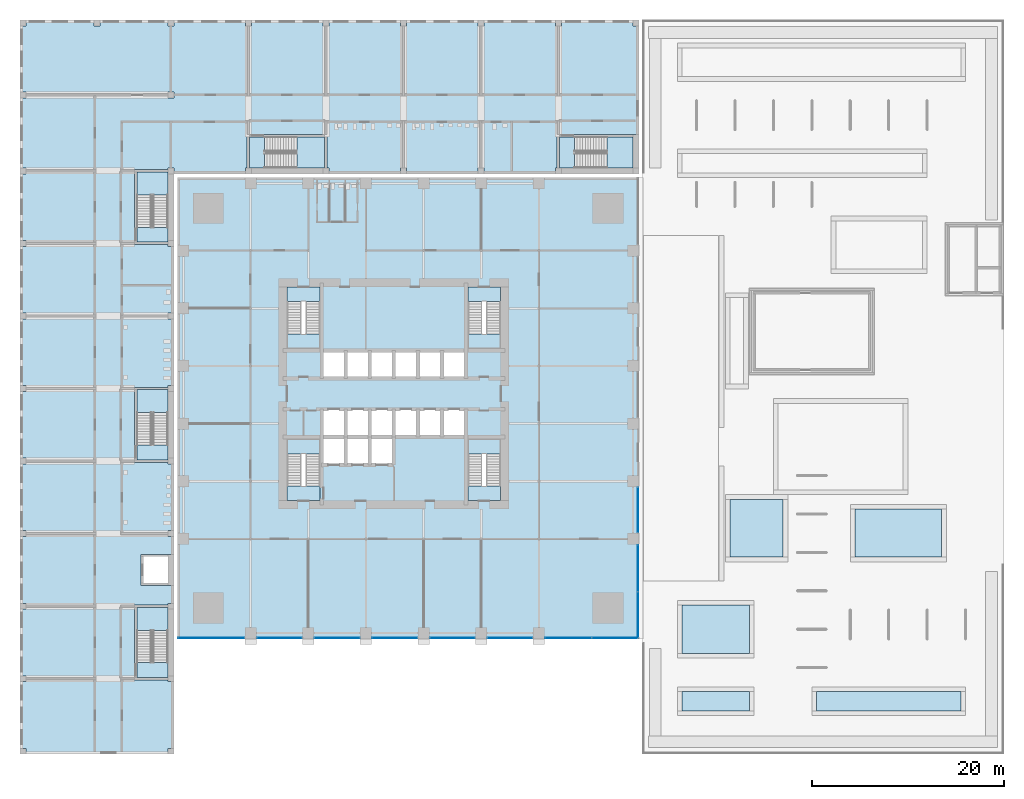
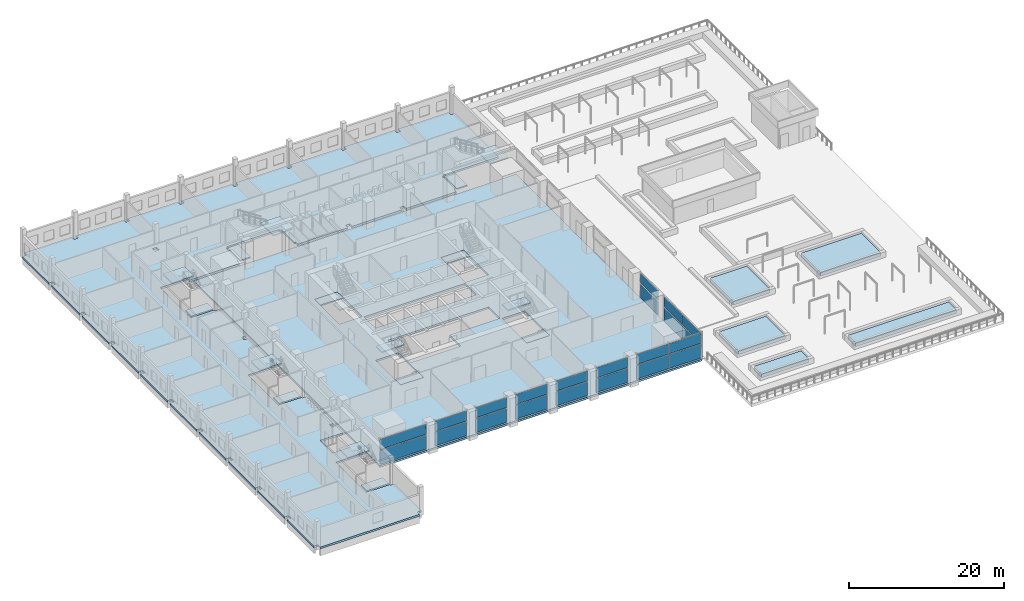
# One storey, part 16 of 34: 25 slabs, 22 plates, 18 elements without a shape of their own.
"""IFC4 building model written with IfcOpenShell, lengths in metres."""

from ifc_helpers import new_model, si_unit, direction, frame, origin, origin_2d, place, context, subcontext, project, spatial, polyline, rectangle, outline, extrude, material, layer, layer_set, type_object, element, aggregate, save


model = new_model("IFC4")

# Units and contexts
model_context = context("Model", 3, precision=1e-05, world=origin(), true_north=direction((0.0, 1.0)))
body_context = subcontext(model_context, "Body", "Model", "MODEL_VIEW")
ifc_project = project(units=[si_unit("LENGTHUNIT", "METRE"), si_unit("AREAUNIT", "SQUARE_METRE"), si_unit("VOLUMEUNIT", "CUBIC_METRE"), si_unit("PLANEANGLEUNIT", "RADIAN"), si_unit("MASSUNIT", "GRAM", prefix="KILO")], contexts=[model_context])

# Site, building, storey
site_placement = place(None, origin())
site = spatial("IfcSite", under=ifc_project, at=site_placement, CompositionType="ELEMENT")
building_placement = place(site_placement, origin())
building = spatial("IfcBuilding", under=site, at=building_placement, Name="Amberfall Residences", CompositionType="ELEMENT")
storey_placement = place(building_placement, frame((0.0, 0.0, 5.5)))
storey = spatial("IfcBuildingStorey", under=building, at=storey_placement, Name="L01", CompositionType="ELEMENT", Elevation=5.5)

# Curtain wall, plates
ifc_material_1 = material(Name="Bronze anodised aluminium and glass", Category="aluminium")
curtain_wall_type = type_object("IfcCurtainWallType", Name="Curtain wall CW4 podium storefront", PredefinedType="USERDEFINED", material=ifc_material_1)
curtain_wall_1_placement = place(storey_placement, origin())
curtain_wall_1 = element("IfcCurtainWall", 1, at=curtain_wall_1_placement, inside=storey, type_object=curtain_wall_type, Name="Storefront L01 S1", ObjectType="UNITISED CURTAIN WALL", PredefinedType="USERDEFINED")
ifc_material_2 = material(Name="Clear toughened glazing", Category="glass")
ifc_layer_1 = layer(ifc_material_2, 0.028076171875)
ifc_layer_set_1 = layer_set([ifc_layer_1], Name="CW4 panel 28 glazing")
plate_type = type_object("IfcPlateType", Name="CW4 panel 28 glazing", PredefinedType="CURTAIN_PANEL", material=ifc_layer_set_1)
plate_1_placement = place(storey_placement, frame((55.5, 20.10009765625, 0.14990234375), z_axis=(0.0, 0.0, 1.0), x_axis=(1.0, 0.0, 0.0)))
plate_1 = element("IfcPlate", 2, at=plate_1_placement, type_object=plate_type, Name="CW4 panel 1.1", PredefinedType="CURTAIN_PANEL", context=body_context, shape_type="SweptSolid", body=[
    extrude(rectangle(XDim=6.860107421875, YDim=0.028076171875, at=origin_2d()), origin(), (0.0, 0.0, 1.0), 2.175048828125),
])
plate_2_placement = place(storey_placement, frame((55.5, 20.10009765625, 2.47509765625), z_axis=(0.0, 0.0, 1.0), x_axis=(1.0, 0.0, 0.0)))
plate_2 = element("IfcPlate", 3, at=plate_2_placement, type_object=plate_type, Name="CW4 panel 1.2", PredefinedType="CURTAIN_PANEL", context=body_context, shape_type="SweptSolid", body=[
    extrude(rectangle(XDim=6.860107421875, YDim=0.028076171875, at=origin_2d()), origin(), (0.0, 0.0, 1.0), 1.574951171875),
])
aggregate(curtain_wall_1, [plate_1, plate_2])

curtain_wall_2_placement = place(storey_placement, origin())
curtain_wall_2 = element("IfcCurtainWall", 4, at=curtain_wall_2_placement, inside=storey, type_object=curtain_wall_type, Name="Storefront L01 S2", ObjectType="UNITISED CURTAIN WALL", PredefinedType="USERDEFINED")
plate_3_placement = place(storey_placement, frame((62.60009765625, 20.10009765625, 0.14990234375), z_axis=(0.0, 0.0, 1.0), x_axis=(1.0, 0.0, 0.0)))
plate_3 = element("IfcPlate", 5, at=plate_3_placement, type_object=plate_type, Name="CW4 panel 1.1", PredefinedType="CURTAIN_PANEL", context=body_context, shape_type="SweptSolid", body=[
    extrude(rectangle(XDim=4.659912109375, YDim=0.028076171875, at=origin_2d()), origin(), (0.0, 0.0, 1.0), 2.175048828125),
])
plate_4_placement = place(storey_placement, frame((62.60009765625, 20.10009765625, 2.47509765625), z_axis=(0.0, 0.0, 1.0), x_axis=(1.0, 0.0, 0.0)))
plate_4 = element("IfcPlate", 6, at=plate_4_placement, type_object=plate_type, Name="CW4 panel 1.2", PredefinedType="CURTAIN_PANEL", context=body_context, shape_type="SweptSolid", body=[
    extrude(rectangle(XDim=4.659912109375, YDim=0.028076171875, at=origin_2d()), origin(), (0.0, 0.0, 1.0), 1.574951171875),
])
aggregate(curtain_wall_2, [plate_3, plate_4])

curtain_wall_3_placement = place(storey_placement, origin())
curtain_wall_3 = element("IfcCurtainWall", 7, at=curtain_wall_3_placement, inside=storey, type_object=curtain_wall_type, Name="Storefront L01 S3", ObjectType="UNITISED CURTAIN WALL", PredefinedType="USERDEFINED")
plate_5_placement = place(storey_placement, frame((68.60009765625, 20.10009765625, 0.14990234375), z_axis=(0.0, 0.0, 1.0), x_axis=(1.0, 0.0, 0.0)))
plate_5 = element("IfcPlate", 8, at=plate_5_placement, type_object=plate_type, Name="CW4 panel 1.1", PredefinedType="CURTAIN_PANEL", context=body_context, shape_type="SweptSolid", body=[
    extrude(rectangle(XDim=4.659912109375, YDim=0.028076171875, at=origin_2d()), origin(), (0.0, 0.0, 1.0), 2.175048828125),
])
plate_6_placement = place(storey_placement, frame((68.60009765625, 20.10009765625, 2.47509765625), z_axis=(0.0, 0.0, 1.0), x_axis=(1.0, 0.0, 0.0)))
plate_6 = element("IfcPlate", 9, at=plate_6_placement, type_object=plate_type, Name="CW4 panel 1.2", PredefinedType="CURTAIN_PANEL", context=body_context, shape_type="SweptSolid", body=[
    extrude(rectangle(XDim=4.659912109375, YDim=0.028076171875, at=origin_2d()), origin(), (0.0, 0.0, 1.0), 1.574951171875),
])
aggregate(curtain_wall_3, [plate_5, plate_6])

curtain_wall_4_placement = place(storey_placement, origin())
curtain_wall_4 = element("IfcCurtainWall", 10, at=curtain_wall_4_placement, inside=storey, type_object=curtain_wall_type, Name="Storefront L01 S4", ObjectType="UNITISED CURTAIN WALL", PredefinedType="USERDEFINED")
plate_7_placement = place(storey_placement, frame((74.60009765625, 20.10009765625, 0.14990234375), z_axis=(0.0, 0.0, 1.0), x_axis=(1.0, 0.0, 0.0)))
plate_7 = element("IfcPlate", 11, at=plate_7_placement, type_object=plate_type, Name="CW4 panel 1.1", PredefinedType="CURTAIN_PANEL", context=body_context, shape_type="SweptSolid", body=[
    extrude(rectangle(XDim=4.659912109375, YDim=0.028076171875, at=origin_2d()), origin(), (0.0, 0.0, 1.0), 2.175048828125),
])
plate_8_placement = place(storey_placement, frame((74.60009765625, 20.10009765625, 2.47509765625), z_axis=(0.0, 0.0, 1.0), x_axis=(1.0, 0.0, 0.0)))
plate_8 = element("IfcPlate", 12, at=plate_8_placement, type_object=plate_type, Name="CW4 panel 1.2", PredefinedType="CURTAIN_PANEL", context=body_context, shape_type="SweptSolid", body=[
    extrude(rectangle(XDim=4.659912109375, YDim=0.028076171875, at=origin_2d()), origin(), (0.0, 0.0, 1.0), 1.574951171875),
])
aggregate(curtain_wall_4, [plate_7, plate_8])

curtain_wall_5_placement = place(storey_placement, origin())
curtain_wall_5 = element("IfcCurtainWall", 13, at=curtain_wall_5_placement, inside=storey, type_object=curtain_wall_type, Name="Storefront L01 S5", ObjectType="UNITISED CURTAIN WALL", PredefinedType="USERDEFINED")
plate_9_placement = place(storey_placement, frame((80.60009765625, 20.10009765625, 0.14990234375), z_axis=(0.0, 0.0, 1.0), x_axis=(1.0, 0.0, 0.0)))
plate_9 = element("IfcPlate", 14, at=plate_9_placement, type_object=plate_type, Name="CW4 panel 1.1", PredefinedType="CURTAIN_PANEL", context=body_context, shape_type="SweptSolid", body=[
    extrude(rectangle(XDim=4.659912109375, YDim=0.028076171875, at=origin_2d()), origin(), (0.0, 0.0, 1.0), 2.175048828125),
])
plate_10_placement = place(storey_placement, frame((80.60009765625, 20.10009765625, 2.47509765625), z_axis=(0.0, 0.0, 1.0), x_axis=(1.0, 0.0, 0.0)))
plate_10 = element("IfcPlate", 15, at=plate_10_placement, type_object=plate_type, Name="CW4 panel 1.2", PredefinedType="CURTAIN_PANEL", context=body_context, shape_type="SweptSolid", body=[
    extrude(rectangle(XDim=4.659912109375, YDim=0.028076171875, at=origin_2d()), origin(), (0.0, 0.0, 1.0), 1.574951171875),
])
aggregate(curtain_wall_5, [plate_9, plate_10])

curtain_wall_6_placement = place(storey_placement, origin())
curtain_wall_6 = element("IfcCurtainWall", 16, at=curtain_wall_6_placement, inside=storey, type_object=curtain_wall_type, Name="Storefront L01 S6", ObjectType="UNITISED CURTAIN WALL", PredefinedType="USERDEFINED")
plate_11_placement = place(storey_placement, frame((86.60009765625, 20.10009765625, 0.14990234375), z_axis=(0.0, 0.0, 1.0), x_axis=(1.0, 0.0, 0.0)))
plate_11 = element("IfcPlate", 17, at=plate_11_placement, type_object=plate_type, Name="CW4 panel 1.1", PredefinedType="CURTAIN_PANEL", context=body_context, shape_type="SweptSolid", body=[
    extrude(rectangle(XDim=4.659912109375, YDim=0.028076171875, at=origin_2d()), origin(), (0.0, 0.0, 1.0), 2.175048828125),
])
plate_12_placement = place(storey_placement, frame((86.60009765625, 20.10009765625, 2.47509765625), z_axis=(0.0, 0.0, 1.0), x_axis=(1.0, 0.0, 0.0)))
plate_12 = element("IfcPlate", 18, at=plate_12_placement, type_object=plate_type, Name="CW4 panel 1.2", PredefinedType="CURTAIN_PANEL", context=body_context, shape_type="SweptSolid", body=[
    extrude(rectangle(XDim=4.659912109375, YDim=0.028076171875, at=origin_2d()), origin(), (0.0, 0.0, 1.0), 1.574951171875),
])
aggregate(curtain_wall_6, [plate_11, plate_12])

curtain_wall_7_placement = place(storey_placement, origin())
curtain_wall_7 = element("IfcCurtainWall", 19, at=curtain_wall_7_placement, inside=storey, type_object=curtain_wall_type, Name="Storefront L01 S7", ObjectType="UNITISED CURTAIN WALL", PredefinedType="USERDEFINED")
plate_13_placement = place(storey_placement, frame((92.66748046875, 20.10009765625, 0.14990234375), z_axis=(0.0, 0.0, 1.0), x_axis=(1.0, 0.0, 0.0)))
plate_13 = element("IfcPlate", 20, at=plate_13_placement, type_object=plate_type, Name="CW4 panel 1.1", PredefinedType="CURTAIN_PANEL", context=body_context, shape_type="SweptSolid", body=[
    extrude(rectangle(XDim=4.794921875, YDim=0.028076171875, at=origin_2d()), origin(), (0.0, 0.0, 1.0), 2.175048828125),
])
plate_14_placement = place(storey_placement, frame((92.66748046875, 20.10009765625, 2.47509765625), z_axis=(0.0, 0.0, 1.0), x_axis=(1.0, 0.0, 0.0)))
plate_14 = element("IfcPlate", 21, at=plate_14_placement, type_object=plate_type, Name="CW4 panel 1.2", PredefinedType="CURTAIN_PANEL", context=body_context, shape_type="SweptSolid", body=[
    extrude(rectangle(XDim=4.794921875, YDim=0.028076171875, at=origin_2d()), origin(), (0.0, 0.0, 1.0), 1.574951171875),
])
plate_15_placement = place(storey_placement, frame((97.532470703125, 20.10009765625, 0.14990234375), z_axis=(0.0, 0.0, 1.0), x_axis=(1.0, 0.0, 0.0)))
plate_15 = element("IfcPlate", 22, at=plate_15_placement, type_object=plate_type, Name="CW4 panel 2.1", PredefinedType="CURTAIN_PANEL", context=body_context, shape_type="SweptSolid", body=[
    extrude(rectangle(XDim=4.794921875, YDim=0.028076171875, at=origin_2d()), origin(), (0.0, 0.0, 1.0), 2.175048828125),
])
plate_16_placement = place(storey_placement, frame((97.532470703125, 20.10009765625, 2.47509765625), z_axis=(0.0, 0.0, 1.0), x_axis=(1.0, 0.0, 0.0)))
plate_16 = element("IfcPlate", 23, at=plate_16_placement, type_object=plate_type, Name="CW4 panel 2.2", PredefinedType="CURTAIN_PANEL", context=body_context, shape_type="SweptSolid", body=[
    extrude(rectangle(XDim=4.794921875, YDim=0.028076171875, at=origin_2d()), origin(), (0.0, 0.0, 1.0), 1.574951171875),
])
aggregate(curtain_wall_7, [plate_13, plate_14, plate_15, plate_16])

curtain_wall_8_placement = place(storey_placement, origin())
curtain_wall_8 = element("IfcCurtainWall", 24, at=curtain_wall_8_placement, inside=storey, type_object=curtain_wall_type, Name="Storefront L01 E1", ObjectType="UNITISED CURTAIN WALL", PredefinedType="USERDEFINED")
plate_17_placement = place(storey_placement, frame((99.89990234375, 22.467529296875, 0.14990234375), z_axis=(0.0, 0.0, 1.0), x_axis=(0.0, 1.0, 0.0)))
plate_17 = element("IfcPlate", 25, at=plate_17_placement, type_object=plate_type, Name="CW4 panel 1.1", PredefinedType="CURTAIN_PANEL", context=body_context, shape_type="SweptSolid", body=[
    extrude(rectangle(XDim=4.794921875, YDim=0.028076171875, at=origin_2d()), origin(), (0.0, 0.0, 1.0), 2.175048828125),
])
plate_18_placement = place(storey_placement, frame((99.89990234375, 22.467529296875, 2.47509765625), z_axis=(0.0, 0.0, 1.0), x_axis=(0.0, 1.0, 0.0)))
plate_18 = element("IfcPlate", 26, at=plate_18_placement, type_object=plate_type, Name="CW4 panel 1.2", PredefinedType="CURTAIN_PANEL", context=body_context, shape_type="SweptSolid", body=[
    extrude(rectangle(XDim=4.794921875, YDim=0.028076171875, at=origin_2d()), origin(), (0.0, 0.0, 1.0), 1.574951171875),
])
plate_19_placement = place(storey_placement, frame((99.89990234375, 27.33251953125, 0.14990234375), z_axis=(0.0, 0.0, 1.0), x_axis=(0.0, 1.0, 0.0)))
plate_19 = element("IfcPlate", 27, at=plate_19_placement, type_object=plate_type, Name="CW4 panel 2.1", PredefinedType="CURTAIN_PANEL", context=body_context, shape_type="SweptSolid", body=[
    extrude(rectangle(XDim=4.794921875, YDim=0.028076171875, at=origin_2d()), origin(), (0.0, 0.0, 1.0), 2.175048828125),
])
plate_20_placement = place(storey_placement, frame((99.89990234375, 27.33251953125, 2.47509765625), z_axis=(0.0, 0.0, 1.0), x_axis=(0.0, 1.0, 0.0)))
plate_20 = element("IfcPlate", 28, at=plate_20_placement, type_object=plate_type, Name="CW4 panel 2.2", PredefinedType="CURTAIN_PANEL", context=body_context, shape_type="SweptSolid", body=[
    extrude(rectangle(XDim=4.794921875, YDim=0.028076171875, at=origin_2d()), origin(), (0.0, 0.0, 1.0), 1.574951171875),
])
aggregate(curtain_wall_8, [plate_17, plate_18, plate_19, plate_20])

curtain_wall_9_placement = place(storey_placement, origin())
curtain_wall_9 = element("IfcCurtainWall", 29, at=curtain_wall_9_placement, inside=storey, type_object=curtain_wall_type, Name="Storefront L01 E2", ObjectType="UNITISED CURTAIN WALL", PredefinedType="USERDEFINED")
plate_21_placement = place(storey_placement, frame((99.89990234375, 33.39990234375, 0.14990234375), z_axis=(0.0, 0.0, 1.0), x_axis=(0.0, 1.0, 0.0)))
plate_21 = element("IfcPlate", 30, at=plate_21_placement, type_object=plate_type, Name="CW4 panel 1.1", PredefinedType="CURTAIN_PANEL", context=body_context, shape_type="SweptSolid", body=[
    extrude(rectangle(XDim=4.659912109375, YDim=0.028076171875, at=origin_2d()), origin(), (0.0, 0.0, 1.0), 2.175048828125),
])
plate_22_placement = place(storey_placement, frame((99.89990234375, 33.39990234375, 2.47509765625), z_axis=(0.0, 0.0, 1.0), x_axis=(0.0, 1.0, 0.0)))
plate_22 = element("IfcPlate", 31, at=plate_22_placement, type_object=plate_type, Name="CW4 panel 1.2", PredefinedType="CURTAIN_PANEL", context=body_context, shape_type="SweptSolid", body=[
    extrude(rectangle(XDim=4.659912109375, YDim=0.028076171875, at=origin_2d()), origin(), (0.0, 0.0, 1.0), 1.574951171875),
])
aggregate(curtain_wall_9, [plate_21, plate_22])

# Slabs
ifc_material_3 = material(Name="Reinforced concrete C35 planter with soil", Category="concrete")
ifc_layer_2 = layer(ifc_material_3, 0.60009765625)
ifc_layer_set_2 = layer_set([ifc_layer_2], Name="Planter bed 600")
slab_type_1 = type_object("IfcSlabType", Name="Planter bed 600", PredefinedType="NOTDEFINED", material=ifc_layer_set_2)
slab_1_placement = place(storey_placement, origin())
element("IfcSlab", 32, at=slab_1_placement, inside=storey, type_object=slab_type_1, Name="Planter 1", PredefinedType="NOTDEFINED", context=body_context, shape_type="SweptSolid", body=[
    extrude(outline(polyline([(104.5, 12.5), (111.5, 12.5), (111.5, 14.5), (104.5, 14.5), (104.5, 12.5)])), origin(), (0.0, 0.0, 1.0), 0.60009765625),
])
slab_2_placement = place(storey_placement, origin())
element("IfcSlab", 33, at=slab_2_placement, inside=storey, type_object=slab_type_1, Name="Planter 2", PredefinedType="NOTDEFINED", context=body_context, shape_type="SweptSolid", body=[
    extrude(outline(polyline([(104.5, 18.5), (111.5, 18.5), (111.5, 23.5), (104.5, 23.5), (104.5, 18.5)])), origin(), (0.0, 0.0, 1.0), 0.60009765625),
])
slab_3_placement = place(storey_placement, origin())
element("IfcSlab", 34, at=slab_3_placement, inside=storey, type_object=slab_type_1, Name="Planter 3", PredefinedType="NOTDEFINED", context=body_context, shape_type="SweptSolid", body=[
    extrude(outline(polyline([(118.5, 12.5), (133.5, 12.5), (133.5, 14.5), (118.5, 14.5), (118.5, 12.5)])), origin(), (0.0, 0.0, 1.0), 0.60009765625),
])
slab_4_placement = place(storey_placement, origin())
element("IfcSlab", 35, at=slab_4_placement, inside=storey, type_object=slab_type_1, Name="Planter 4", PredefinedType="NOTDEFINED", context=body_context, shape_type="SweptSolid", body=[
    extrude(outline(polyline([(109.5, 28.5), (115.0, 28.5), (115.0, 34.5), (109.5, 34.5), (109.5, 28.5)])), origin(), (0.0, 0.0, 1.0), 0.60009765625),
])
slab_5_placement = place(storey_placement, origin())
element("IfcSlab", 36, at=slab_5_placement, inside=storey, type_object=slab_type_1, Name="Planter 5", PredefinedType="NOTDEFINED", context=body_context, shape_type="SweptSolid", body=[
    extrude(outline(polyline([(122.5, 28.5), (131.5, 28.5), (131.5, 33.5), (122.5, 33.5), (122.5, 28.5)])), origin(), (0.0, 0.0, 1.0), 0.60009765625),
])
ifc_material_4 = material(Name="Concrete C60", Category="concrete")
ifc_layer_3 = layer(ifc_material_4, 0.300048828125)
ifc_layer_set_3 = layer_set([ifc_layer_3], Name="Podium floor slab 300 C60")
slab_type_2 = type_object("IfcSlabType", Name="Podium floor slab 300 C60", PredefinedType="FLOOR", material=ifc_layer_set_3)
slab_6_placement = place(storey_placement, frame((0.0, 0.0, -0.300048828125)))
element("IfcSlab", 37, at=slab_6_placement, inside=storey, type_object=slab_type_2, Name="Floor slab S2 L01", PredefinedType="FLOOR", context=body_context, shape_type="SweptSolid", body=[
    extrude(outline(polyline([(52.0, 68.0), (100.0, 68.0), (100.0, 20.0), (52.0, 20.0), (52.0, 68.0)]), holes=[polyline([(85.60009765625, 34.39990234375), (85.60009765625, 40.800048828125), (82.199951171875, 40.800048828125), (82.199951171875, 34.39990234375), (85.60009765625, 34.39990234375)]), polyline([(82.199951171875, 50.199951171875), (85.60009765625, 50.199951171875), (85.60009765625, 56.60009765625), (82.199951171875, 56.60009765625), (82.199951171875, 50.199951171875)]), polyline([(69.5, 50.0), (67.0, 50.0), (67.0, 47.10009765625), (69.5, 47.10009765625), (72.0, 47.10009765625), (74.5, 47.10009765625), (77.0, 47.10009765625), (79.5, 47.10009765625), (82.0, 47.10009765625), (82.0, 50.0), (79.5, 50.0), (77.0, 50.0), (74.5, 50.0), (72.0, 50.0), (69.5, 50.0)]), polyline([(74.5, 41.0), (77.0, 41.0), (79.5, 41.0), (82.0, 41.0), (82.0, 43.89990234375), (79.5, 43.89990234375), (77.0, 43.89990234375), (74.5, 43.89990234375), (72.0, 43.89990234375), (69.5, 43.89990234375), (67.0, 43.89990234375), (67.0, 41.0), (67.0, 38.10009765625), (69.5, 38.10009765625), (72.0, 38.10009765625), (74.5, 38.10009765625), (74.5, 41.0)]), polyline([(66.800048828125, 34.39990234375), (66.800048828125, 40.800048828125), (63.39990234375, 40.800048828125), (63.39990234375, 34.39990234375), (66.800048828125, 34.39990234375)]), polyline([(66.800048828125, 50.199951171875), (66.800048828125, 56.60009765625), (63.39990234375, 56.60009765625), (63.39990234375, 50.199951171875), (66.800048828125, 50.199951171875)])]), origin(), (0.0, 0.0, 1.0), 0.300048828125),
])
ifc_material_5 = material(Name="Concrete C40", Category="concrete")
ifc_layer_4 = layer(ifc_material_5, 0.300048828125)
ifc_layer_set_4 = layer_set([ifc_layer_4], Name="School floor slab 300 C40")
slab_type_3 = type_object("IfcSlabType", Name="School floor slab 300 C40", PredefinedType="FLOOR", material=ifc_layer_set_4)
slab_7_placement = place(storey_placement, frame((0.0, 0.0, -0.300048828125)))
element("IfcSlab", 38, at=slab_7_placement, inside=storey, type_object=slab_type_3, Name="School floor L01", PredefinedType="FLOOR", context=body_context, shape_type="SweptSolid", body=[
    extrude(outline(polyline([(36.199951171875, 8.60009765625), (36.199951171875, 8.0), (51.0, 8.0), (51.0, 8.60009765625), (51.60009765625, 8.60009765625), (51.60009765625, 15.550048828125), (51.0, 15.550048828125), (51.0, 15.72509765625), (47.5, 15.72509765625), (47.5, 15.97509765625), (47.5, 23.27490234375), (47.5, 23.52490234375), (51.0, 23.52490234375), (51.0, 23.699951171875), (51.60009765625, 23.699951171875), (51.60009765625, 25.550048828125), (51.0, 25.550048828125), (48.199951171875, 25.550048828125), (48.199951171875, 25.675048828125), (48.199951171875, 25.800048828125), (48.199951171875, 28.550048828125), (48.199951171875, 28.675048828125), (48.199951171875, 28.800048828125), (51.0, 28.800048828125), (51.60009765625, 28.800048828125), (51.60009765625, 30.64990234375), (51.0, 30.64990234375), (51.0, 31.25), (51.60009765625, 31.25), (51.60009765625, 38.199951171875), (51.0, 38.199951171875), (51.0, 38.375), (47.5, 38.375), (47.5, 38.625), (47.5, 45.925048828125), (47.5, 46.175048828125), (51.0, 46.175048828125), (51.0, 46.35009765625), (51.60009765625, 46.35009765625), (51.60009765625, 53.300048828125), (51.0, 53.300048828125), (51.0, 53.89990234375), (51.60009765625, 53.89990234375), (51.60009765625, 60.85009765625), (51.0, 60.85009765625), (51.0, 61.02490234375), (47.5, 61.02490234375), (47.5, 61.27490234375), (47.5, 68.574951171875), (47.5, 68.824951171875), (51.0, 68.824951171875), (51.0, 69.0), (51.60009765625, 69.0), (51.60009765625, 68.39990234375), (59.06689453125, 68.39990234375), (59.06689453125, 69.0), (59.241943359375, 69.0), (59.241943359375, 72.25), (59.491943359375, 72.25), (59.491943359375, 72.5), (67.30810546875, 72.5), (67.30810546875, 72.25), (67.55810546875, 72.25), (67.55810546875, 69.0), (67.73291015625, 69.0), (67.73291015625, 68.39990234375), (75.199951171875, 68.39990234375), (75.199951171875, 69.0), (75.800048828125, 69.0), (75.800048828125, 68.39990234375), (83.26708984375, 68.39990234375), (83.26708984375, 69.0), (83.866943359375, 69.0), (83.866943359375, 68.39990234375), (91.3330078125, 68.39990234375), (91.3330078125, 69.0), (91.508056640625, 69.0), (91.508056640625, 72.25), (91.758056640625, 72.25), (91.758056640625, 72.5), (99.39990234375, 72.5), (100.0, 72.5), (100.0, 83.800048828125), (99.39990234375, 83.800048828125), (99.39990234375, 84.39990234375), (91.93310546875, 84.39990234375), (91.93310546875, 83.800048828125), (91.3330078125, 83.800048828125), (91.3330078125, 84.39990234375), (83.866943359375, 84.39990234375), (83.866943359375, 83.800048828125), (83.26708984375, 83.800048828125), (83.26708984375, 84.39990234375), (75.800048828125, 84.39990234375), (75.800048828125, 83.800048828125), (75.199951171875, 83.800048828125), (75.199951171875, 84.39990234375), (67.73291015625, 84.39990234375), (67.73291015625, 83.800048828125), (67.133056640625, 83.800048828125), (67.133056640625, 84.39990234375), (59.6669921875, 84.39990234375), (59.6669921875, 83.800048828125), (59.06689453125, 83.800048828125), (59.06689453125, 84.39990234375), (51.60009765625, 84.39990234375), (51.60009765625, 83.800048828125), (51.0, 83.800048828125), (51.0, 84.39990234375), (43.89990234375, 84.39990234375), (43.89990234375, 83.800048828125), (43.300048828125, 83.800048828125), (43.300048828125, 84.39990234375), (36.199951171875, 84.39990234375), (36.199951171875, 83.800048828125), (35.60009765625, 83.800048828125), (35.60009765625, 76.89990234375), (36.199951171875, 76.89990234375), (36.199951171875, 76.300048828125), (35.60009765625, 76.300048828125), (35.60009765625, 69.0), (36.199951171875, 69.0), (36.199951171875, 68.39990234375), (35.60009765625, 68.39990234375), (35.60009765625, 61.449951171875), (36.199951171875, 61.449951171875), (36.199951171875, 60.85009765625), (35.60009765625, 60.85009765625), (35.60009765625, 53.89990234375), (36.199951171875, 53.89990234375), (36.199951171875, 53.300048828125), (35.60009765625, 53.300048828125), (35.60009765625, 46.35009765625), (36.199951171875, 46.35009765625), (36.199951171875, 45.75), (35.60009765625, 45.75), (35.60009765625, 38.800048828125), (36.199951171875, 38.800048828125), (36.199951171875, 38.199951171875), (35.60009765625, 38.199951171875), (35.60009765625, 31.25), (36.199951171875, 31.25), (36.199951171875, 30.64990234375), (35.60009765625, 30.64990234375), (35.60009765625, 23.699951171875), (36.199951171875, 23.699951171875), (36.199951171875, 23.10009765625), (35.60009765625, 23.10009765625), (35.60009765625, 16.14990234375), (36.199951171875, 16.14990234375), (36.199951171875, 15.550048828125), (35.60009765625, 15.550048828125), (35.60009765625, 8.60009765625), (36.199951171875, 8.60009765625)]), holes=[polyline([(51.0, 76.300048828125), (51.0, 76.89990234375), (51.60009765625, 76.89990234375), (51.60009765625, 76.300048828125), (51.0, 76.300048828125)])]), origin(), (0.0, 0.0, 1.0), 0.300048828125),
])

# Stair, slabs
stair_type_1 = type_object("IfcStairType", Name="School stair", PredefinedType="HALF_TURN_STAIR", material=ifc_material_5)
stair_1_placement = place(storey_placement, origin())
stair_1 = element("IfcStair", 39, at=stair_1_placement, inside=storey, type_object=stair_type_1, Name="L01 Stair SS1", PredefinedType="HALF_TURN_STAIR")
ifc_layer_5 = layer(ifc_material_5, 0.199951171875)
ifc_layer_set_5 = layer_set([ifc_layer_5], Name="School stair landing")
slab_type_4 = type_object("IfcSlabType", Name="School stair landing", PredefinedType="LANDING", material=ifc_layer_set_5)
slab_8_placement = place(storey_placement, frame((0.0, 0.0, 2.050048828125)))
slab_8 = element("IfcSlab", 40, at=slab_8_placement, type_object=slab_type_4, Name="SS1 landing 1", PredefinedType="LANDING", context=body_context, shape_type="SweptSolid", body=[
    extrude(outline(polyline([(51.0, 20.885009765625), (51.0, 23.27490234375), (47.75, 23.27490234375), (47.75, 20.885009765625), (51.0, 20.885009765625)])), origin(), (0.0, 0.0, 1.0), 0.199951171875),
])
slab_9_placement = place(storey_placement, frame((0.0, 0.0, -0.199951171875)))
slab_9 = element("IfcSlab", 41, at=slab_9_placement, type_object=slab_type_4, Name="SS1 landing 2", PredefinedType="LANDING", context=body_context, shape_type="SweptSolid", body=[
    extrude(outline(polyline([(51.0, 15.97509765625), (51.0, 17.52490234375), (47.75, 17.52490234375), (47.75, 15.97509765625), (51.0, 15.97509765625)])), origin(), (0.0, 0.0, 1.0), 0.199951171875),
])
aggregate(stair_1, [slab_8, slab_9])

stair_2_placement = place(storey_placement, origin())
stair_2 = element("IfcStair", 42, at=stair_2_placement, inside=storey, type_object=stair_type_1, Name="L01 Stair SS2", PredefinedType="HALF_TURN_STAIR")
slab_10_placement = place(storey_placement, frame((0.0, 0.0, 2.050048828125)))
slab_10 = element("IfcSlab", 43, at=slab_10_placement, type_object=slab_type_4, Name="SS2 landing 1", PredefinedType="LANDING", context=body_context, shape_type="SweptSolid", body=[
    extrude(outline(polyline([(51.0, 43.534912109375), (51.0, 45.925048828125), (47.75, 45.925048828125), (47.75, 43.534912109375), (51.0, 43.534912109375)])), origin(), (0.0, 0.0, 1.0), 0.199951171875),
])
slab_11_placement = place(storey_placement, frame((0.0, 0.0, -0.199951171875)))
slab_11 = element("IfcSlab", 44, at=slab_11_placement, type_object=slab_type_4, Name="SS2 landing 2", PredefinedType="LANDING", context=body_context, shape_type="SweptSolid", body=[
    extrude(outline(polyline([(51.0, 38.625), (51.0, 40.175048828125), (47.75, 40.175048828125), (47.75, 38.625), (51.0, 38.625)])), origin(), (0.0, 0.0, 1.0), 0.199951171875),
])
aggregate(stair_2, [slab_10, slab_11])

stair_3_placement = place(storey_placement, origin())
stair_3 = element("IfcStair", 45, at=stair_3_placement, inside=storey, type_object=stair_type_1, Name="L01 Stair SS3", PredefinedType="HALF_TURN_STAIR")
slab_12_placement = place(storey_placement, frame((0.0, 0.0, 2.050048828125)))
slab_12 = element("IfcSlab", 46, at=slab_12_placement, type_object=slab_type_4, Name="SS3 landing 1", PredefinedType="LANDING", context=body_context, shape_type="SweptSolid", body=[
    extrude(outline(polyline([(51.0, 66.18505859375), (51.0, 68.574951171875), (47.75, 68.574951171875), (47.75, 66.18505859375), (51.0, 66.18505859375)])), origin(), (0.0, 0.0, 1.0), 0.199951171875),
])
slab_13_placement = place(storey_placement, frame((0.0, 0.0, -0.199951171875)))
slab_13 = element("IfcSlab", 47, at=slab_13_placement, type_object=slab_type_4, Name="SS3 landing 2", PredefinedType="LANDING", context=body_context, shape_type="SweptSolid", body=[
    extrude(outline(polyline([(51.0, 61.27490234375), (51.0, 62.824951171875), (47.75, 62.824951171875), (47.75, 61.27490234375), (51.0, 61.27490234375)])), origin(), (0.0, 0.0, 1.0), 0.199951171875),
])
aggregate(stair_3, [slab_12, slab_13])

stair_4_placement = place(storey_placement, origin())
stair_4 = element("IfcStair", 48, at=stair_4_placement, inside=storey, type_object=stair_type_1, Name="L01 Stair SS4", PredefinedType="HALF_TURN_STAIR")
slab_14_placement = place(storey_placement, frame((0.0, 0.0, 2.050048828125)))
slab_14 = element("IfcSlab", 49, at=slab_14_placement, type_object=slab_type_4, Name="SS4 landing 1", PredefinedType="LANDING", context=body_context, shape_type="SweptSolid", body=[
    extrude(outline(polyline([(64.402099609375, 69.0), (67.30810546875, 69.0), (67.30810546875, 72.25), (64.402099609375, 72.25), (64.402099609375, 69.0)])), origin(), (0.0, 0.0, 1.0), 0.199951171875),
])
slab_15_placement = place(storey_placement, frame((0.0, 0.0, -0.199951171875)))
slab_15 = element("IfcSlab", 50, at=slab_15_placement, type_object=slab_type_4, Name="SS4 landing 2", PredefinedType="LANDING", context=body_context, shape_type="SweptSolid", body=[
    extrude(outline(polyline([(59.491943359375, 69.0), (61.0419921875, 69.0), (61.0419921875, 72.25), (59.491943359375, 72.25), (59.491943359375, 69.0)])), origin(), (0.0, 0.0, 1.0), 0.199951171875),
])
aggregate(stair_4, [slab_14, slab_15])

stair_5_placement = place(storey_placement, origin())
stair_5 = element("IfcStair", 51, at=stair_5_placement, inside=storey, type_object=stair_type_1, Name="L01 Stair SS5", PredefinedType="HALF_TURN_STAIR")
slab_16_placement = place(storey_placement, frame((0.0, 0.0, 2.050048828125)))
slab_16 = element("IfcSlab", 52, at=slab_16_placement, type_object=slab_type_4, Name="SS5 landing 1", PredefinedType="LANDING", context=body_context, shape_type="SweptSolid", body=[
    extrude(outline(polyline([(96.66796875, 69.0), (99.39990234375, 69.0), (99.39990234375, 72.25), (96.66796875, 72.25), (96.66796875, 69.0)])), origin(), (0.0, 0.0, 1.0), 0.199951171875),
])
slab_17_placement = place(storey_placement, frame((0.0, 0.0, -0.199951171875)))
slab_17 = element("IfcSlab", 53, at=slab_17_placement, type_object=slab_type_4, Name="SS5 landing 2", PredefinedType="LANDING", context=body_context, shape_type="SweptSolid", body=[
    extrude(outline(polyline([(91.758056640625, 69.0), (93.30810546875, 69.0), (93.30810546875, 72.25), (91.758056640625, 72.25), (91.758056640625, 69.0)])), origin(), (0.0, 0.0, 1.0), 0.199951171875),
])
aggregate(stair_5, [slab_16, slab_17])

stair_type_2 = type_object("IfcStairType", Name="Exit stair 26 risers 173.1 mm", PredefinedType="HALF_TURN_STAIR", material=ifc_material_5)
stair_6_placement = place(storey_placement, origin())
stair_6 = element("IfcStair", 54, at=stair_6_placement, inside=storey, type_object=stair_type_2, Name="L01 Exit stair 1", PredefinedType="HALF_TURN_STAIR")
ifc_layer_6 = layer(ifc_material_5, 0.199951171875)
ifc_layer_set_6 = layer_set([ifc_layer_6], Name="Stair landing 200")
slab_type_5 = type_object("IfcSlabType", Name="Stair landing 200", PredefinedType="LANDING", material=ifc_layer_set_6)
slab_18_placement = place(storey_placement, frame((0.0, 0.0, 2.050048828125)))
slab_18 = element("IfcSlab", 55, at=slab_18_placement, type_object=slab_type_5, Name="ST2 landing 1", PredefinedType="LANDING", context=body_context, shape_type="SweptSolid", body=[
    extrude(outline(polyline([(66.800048828125, 39.260009765625), (66.800048828125, 40.800048828125), (63.39990234375, 40.800048828125), (63.39990234375, 39.260009765625), (66.800048828125, 39.260009765625)])), origin(), (0.0, 0.0, 1.0), 0.199951171875),
])
slab_19_placement = place(storey_placement, frame((0.0, 0.0, -0.199951171875)))
slab_19 = element("IfcSlab", 56, at=slab_19_placement, type_object=slab_type_5, Name="ST2 landing 2", PredefinedType="LANDING", context=body_context, shape_type="SweptSolid", body=[
    extrude(outline(polyline([(66.800048828125, 34.39990234375), (66.800048828125, 35.89990234375), (63.39990234375, 35.89990234375), (63.39990234375, 34.39990234375), (66.800048828125, 34.39990234375)])), origin(), (0.0, 0.0, 1.0), 0.199951171875),
])
aggregate(stair_6, [slab_18, slab_19])

stair_7_placement = place(storey_placement, origin())
stair_7 = element("IfcStair", 57, at=stair_7_placement, inside=storey, type_object=stair_type_2, Name="L01 Exit stair 2", PredefinedType="HALF_TURN_STAIR")
slab_20_placement = place(storey_placement, frame((0.0, 0.0, 2.050048828125)))
slab_20 = element("IfcSlab", 58, at=slab_20_placement, type_object=slab_type_5, Name="ST2 landing 1", PredefinedType="LANDING", context=body_context, shape_type="SweptSolid", body=[
    extrude(outline(polyline([(85.60009765625, 39.260009765625), (85.60009765625, 40.800048828125), (82.199951171875, 40.800048828125), (82.199951171875, 39.260009765625), (85.60009765625, 39.260009765625)])), origin(), (0.0, 0.0, 1.0), 0.199951171875),
])
slab_21_placement = place(storey_placement, frame((0.0, 0.0, -0.199951171875)))
slab_21 = element("IfcSlab", 59, at=slab_21_placement, type_object=slab_type_5, Name="ST2 landing 2", PredefinedType="LANDING", context=body_context, shape_type="SweptSolid", body=[
    extrude(outline(polyline([(85.60009765625, 34.39990234375), (85.60009765625, 35.89990234375), (82.199951171875, 35.89990234375), (82.199951171875, 34.39990234375), (85.60009765625, 34.39990234375)])), origin(), (0.0, 0.0, 1.0), 0.199951171875),
])
aggregate(stair_7, [slab_20, slab_21])

stair_8_placement = place(storey_placement, origin())
stair_8 = element("IfcStair", 60, at=stair_8_placement, inside=storey, type_object=stair_type_2, Name="L01 Exit stair 3", PredefinedType="HALF_TURN_STAIR")
slab_22_placement = place(storey_placement, frame((0.0, 0.0, 2.050048828125)))
slab_22 = element("IfcSlab", 61, at=slab_22_placement, type_object=slab_type_5, Name="ST2 landing 1", PredefinedType="LANDING", context=body_context, shape_type="SweptSolid", body=[
    extrude(outline(polyline([(82.199951171875, 51.739990234375), (82.199951171875, 50.199951171875), (85.60009765625, 50.199951171875), (85.60009765625, 51.739990234375), (82.199951171875, 51.739990234375)])), origin(), (0.0, 0.0, 1.0), 0.199951171875),
])
slab_23_placement = place(storey_placement, frame((0.0, 0.0, -0.199951171875)))
slab_23 = element("IfcSlab", 62, at=slab_23_placement, type_object=slab_type_5, Name="ST2 landing 2", PredefinedType="LANDING", context=body_context, shape_type="SweptSolid", body=[
    extrude(outline(polyline([(82.199951171875, 56.60009765625), (82.199951171875, 55.10009765625), (85.60009765625, 55.10009765625), (85.60009765625, 56.60009765625), (82.199951171875, 56.60009765625)])), origin(), (0.0, 0.0, 1.0), 0.199951171875),
])
aggregate(stair_8, [slab_22, slab_23])

stair_9_placement = place(storey_placement, origin())
stair_9 = element("IfcStair", 63, at=stair_9_placement, inside=storey, type_object=stair_type_2, Name="L01 Exit stair 4", PredefinedType="HALF_TURN_STAIR")
slab_24_placement = place(storey_placement, frame((0.0, 0.0, 2.050048828125)))
slab_24 = element("IfcSlab", 64, at=slab_24_placement, type_object=slab_type_5, Name="ST2 landing 1", PredefinedType="LANDING", context=body_context, shape_type="SweptSolid", body=[
    extrude(outline(polyline([(63.39990234375, 51.739990234375), (63.39990234375, 50.199951171875), (66.800048828125, 50.199951171875), (66.800048828125, 51.739990234375), (63.39990234375, 51.739990234375)])), origin(), (0.0, 0.0, 1.0), 0.199951171875),
])
slab_25_placement = place(storey_placement, frame((0.0, 0.0, -0.199951171875)))
slab_25 = element("IfcSlab", 65, at=slab_25_placement, type_object=slab_type_5, Name="ST2 landing 2", PredefinedType="LANDING", context=body_context, shape_type="SweptSolid", body=[
    extrude(outline(polyline([(63.39990234375, 56.60009765625), (63.39990234375, 55.10009765625), (66.800048828125, 55.10009765625), (66.800048828125, 56.60009765625), (63.39990234375, 56.60009765625)])), origin(), (0.0, 0.0, 1.0), 0.199951171875),
])
aggregate(stair_9, [slab_24, slab_25])

save(model, "model.ifc")
